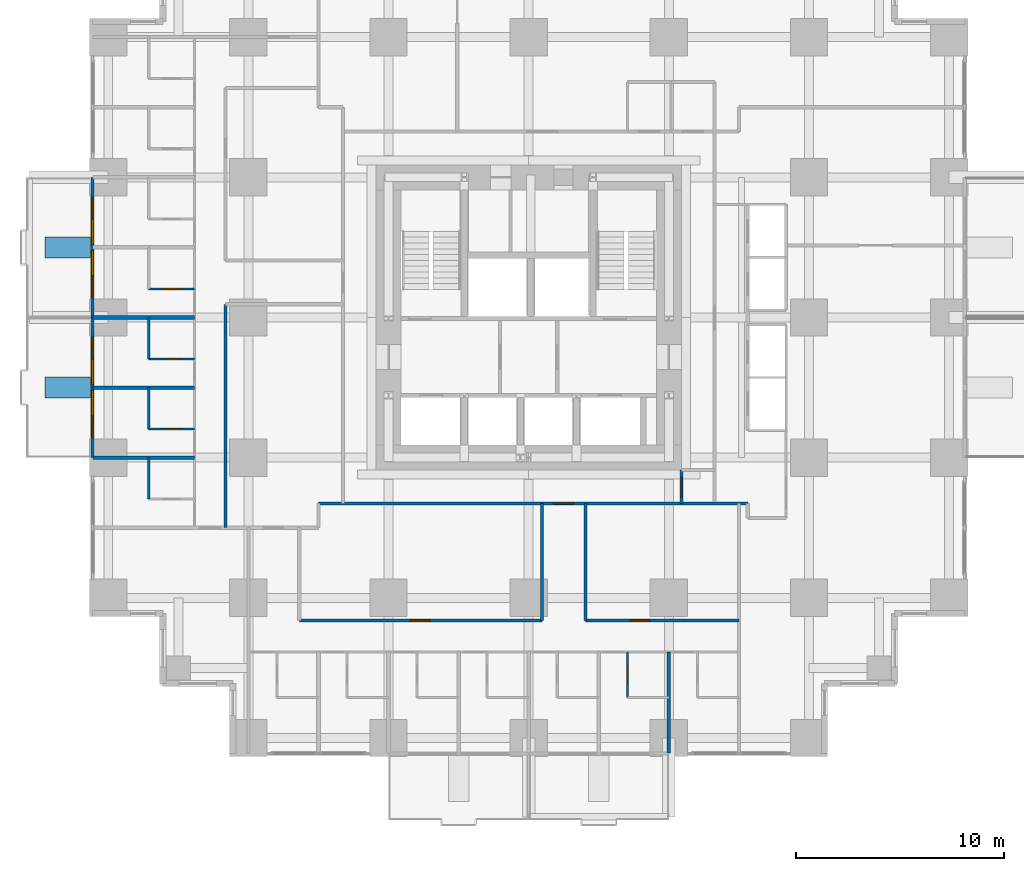
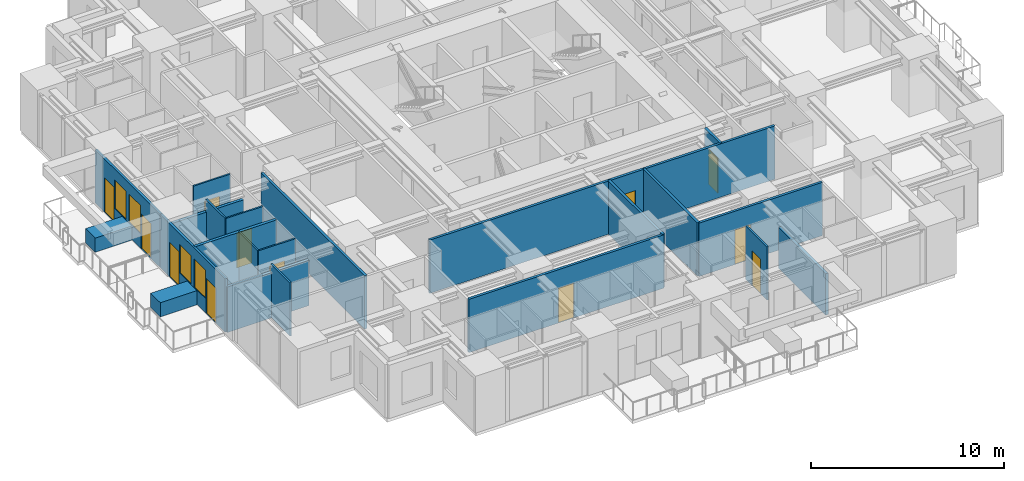
# One storey, part 7 of 13: 22 walls, 12 doors, 4 windows, 16 openings.
"""IFC4 building model written with IfcOpenShell, lengths in metres."""

from ifc_helpers import new_model, si_unit, direction, frame, frame_2d, origin, place, context, subcontext, project, spatial, rectangle, extrude, material, layer, layer_set, type_object, element, fill, save


model = new_model("IFC4")

# Units and contexts
model_context = context("Model", 3, precision=1e-05, world=origin(), true_north=direction((0.0, 1.0)))
body_context = subcontext(model_context, "Body", "Model", "MODEL_VIEW")
ifc_project = project(units=[si_unit("LENGTHUNIT", "METRE"), si_unit("AREAUNIT", "SQUARE_METRE"), si_unit("VOLUMEUNIT", "CUBIC_METRE"), si_unit("PLANEANGLEUNIT", "RADIAN"), si_unit("MASSUNIT", "GRAM", prefix="KILO")], contexts=[model_context])

# Site, building, storey
site_placement = place(None, origin())
site = spatial("IfcSite", under=ifc_project, at=site_placement, CompositionType="ELEMENT")
building_placement = place(site_placement, origin())
building = spatial("IfcBuilding", under=site, at=building_placement, Name="Nyansa Garden Tower", CompositionType="ELEMENT")
storey_placement = place(building_placement, frame((0.0, 0.0, 46.800048828125)))
storey = spatial("IfcBuildingStorey", under=building, at=storey_placement, Name="L12", CompositionType="ELEMENT", Elevation=46.800048828125)

# Walls
ifc_material_1 = material(Name="Dense blockwork, plastered both sides, 55 dB", Category="masonry")
ifc_layer_1 = layer(ifc_material_1, 0.175048828125)
ifc_layer_set_1 = layer_set([ifc_layer_1], Name="Acoustic party wall PW175")
wall_type_1 = type_object("IfcWallType", Name="Acoustic party wall PW175", PredefinedType="PARTITIONING", material=ifc_layer_set_1)
wall_1_placement = place(storey_placement, frame((-0.73388671875, 13.5, 0.0), z_axis=(0.0, 0.0, 1.0), x_axis=(1.0, 0.0, 0.0)))
element("IfcWall", 1, at=wall_1_placement, inside=storey, type_object=wall_type_1, Name="Party wall", PredefinedType="PARTITIONING", context=body_context, shape_type="SweptSolid", body=[
    extrude(rectangle(XDim=4.8837890625, YDim=0.175048828125, at=frame_2d((2.44189453125, 0.0))), origin(), (0.0, 0.0, 1.0), 2.876953125),
])
wall_2_placement = place(storey_placement, frame((-0.73388671875, 16.875, 0.0), z_axis=(0.0, 0.0, 1.0), x_axis=(1.0, 0.0, 0.0)))
element("IfcWall", 2, at=wall_2_placement, inside=storey, type_object=wall_type_1, Name="Party wall", PredefinedType="PARTITIONING", context=body_context, shape_type="SweptSolid", body=[
    extrude(rectangle(XDim=4.8837890625, YDim=0.175048828125, at=frame_2d((2.44189453125, 0.0))), origin(), (0.0, 0.0, 1.0), 3.375),
])
for number, where, z_axis, x_axis, name in (
    (3, (-0.73388671875, 20.25, 0.0), (0.0, 0.0, 1.0), (1.0, 0.0, 0.0), "Party wall"),
    (4, (27.0, -0.73388671875, 0.0), (0.0, 0.0, 1.0), (0.0, 1.0, 0.0), "Party wall"),
):
    element("IfcWall", number, at=place(storey_placement, frame(where, z_axis=z_axis, x_axis=x_axis)), inside=storey, type_object=wall_type_1, Name=name, PredefinedType="PARTITIONING", context=body_context, shape_type="SweptSolid", body=[
        extrude(rectangle(XDim=4.8837890625, YDim=0.175048828125, at=frame_2d((2.44189453125, 0.0))), origin(), (0.0, 0.0, 1.0), 2.60986328125),
    ])

# Wall, openings, doors, windows
ifc_material_2 = material(Name="Black aluminium framed glazed screen", Category="aluminium")
ifc_layer_2 = layer(ifc_material_2, 0.14990234375)
ifc_layer_set_2 = layer_set([ifc_layer_2], Name="Balcony screen wall BW150")
wall_type_2 = type_object("IfcWallType", Name="Balcony screen wall BW150", PredefinedType="SOLIDWALL", material=ifc_layer_set_2)
wall_3_placement = place(storey_placement, frame((-0.75, 13.5, 0.0), z_axis=(0.0, 0.0, 1.0), x_axis=(0.0, 1.0, 0.0)))
wall_3 = element("IfcWall", 5, at=wall_3_placement, inside=storey, type_object=wall_type_2, Name="Glazed screen wall L12 W", PredefinedType="SOLIDWALL", context=body_context, shape_type="SweptSolid", body=[
    extrude(rectangle(XDim=6.75, YDim=0.14990234375, at=frame_2d((3.375, 0.0))), origin(), (0.0, 0.0, 1.0), 3.375),
])
opening_1_placement = place(wall_3_placement, frame((0.96240234375, 0.0, 0.0)))
opening_1 = element("IfcOpeningElement", 6, at=opening_1_placement, cuts=wall_3, Name="Opening D20", PredefinedType="OPENING", context=body_context, shape_type="SweptSolid", body=[
    extrude(rectangle(XDim=1.0, YDim=2.199951171875, at=frame_2d((0.5, 1.10009765625))), frame((0.0, 0.0849609375, 0.0), z_axis=(0.0, -1.0, 0.0), x_axis=(1.0, 0.0, 0.0)), (0.0, 0.0, 1.0), 0.169921875),
])
opening_2_placement = place(wall_3_placement, frame((2.02490234375, 0.0, 0.89990234375)))
opening_2 = element("IfcOpeningElement", 7, at=opening_2_placement, cuts=wall_3, Name="Opening W6", PredefinedType="OPENING", context=body_context, shape_type="SweptSolid", body=[
    extrude(rectangle(XDim=1.199951171875, YDim=1.800048828125, at=frame_2d((0.60009765625, 0.89990234375))), frame((0.0, 0.0849609375, 0.0), z_axis=(0.0, -1.0, 0.0), x_axis=(1.0, 0.0, 0.0)), (0.0, 0.0, 1.0), 0.169921875),
])
opening_3_placement = place(wall_3_placement, frame((4.78759765625, 0.0, 0.0)))
opening_3 = element("IfcOpeningElement", 8, at=opening_3_placement, cuts=wall_3, Name="Opening D20", PredefinedType="OPENING", context=body_context, shape_type="SweptSolid", body=[
    extrude(rectangle(XDim=1.0, YDim=2.199951171875, at=frame_2d((0.5, 1.10009765625))), frame((0.0, 0.0849609375, 0.0), z_axis=(0.0, -1.0, 0.0), x_axis=(1.0, 0.0, 0.0)), (0.0, 0.0, 1.0), 0.169921875),
])
opening_4_placement = place(wall_3_placement, frame((3.52490234375, 0.0, 0.89990234375)))
opening_4 = element("IfcOpeningElement", 9, at=opening_4_placement, cuts=wall_3, Name="Opening W6", PredefinedType="OPENING", context=body_context, shape_type="SweptSolid", body=[
    extrude(rectangle(XDim=1.199951171875, YDim=1.800048828125, at=frame_2d((0.60009765625, 0.89990234375))), frame((0.0, 0.0849609375, 0.0), z_axis=(0.0, -1.0, 0.0), x_axis=(1.0, 0.0, 0.0)), (0.0, 0.0, 1.0), 0.169921875),
])
ifc_material_3 = material(Name="Black aluminium framed glazed door", Category="aluminium")
door_type_1 = type_object("IfcDoorType", Name="Balcony door D20 1000x2200", OperationType="NOTDEFINED", PredefinedType="DOOR", material=ifc_material_3)
door_1_placement = place(opening_1_placement, origin())
door_1 = element("IfcDoor", 10, at=door_1_placement, inside=storey, type_object=door_type_1, Name="Balcony door L12", OperationType="SINGLE_SWING_LEFT", OverallHeight=2.199951171875, OverallWidth=1.0, PredefinedType="DOOR", context=body_context, shape_type="SweptSolid", body=[
    extrude(rectangle(XDim=1.0, YDim=2.199951171875, at=frame_2d((0.5, 1.10009765625))), frame((0.0, 0.02490234375, 0.0), z_axis=(0.0, -1.0, 0.0), x_axis=(1.0, 0.0, 0.0)), (0.0, 0.0, 1.0), 0.050048828125),
])
fill(opening_1, door_1)
door_2_placement = place(opening_3_placement, origin())
door_2 = element("IfcDoor", 11, at=door_2_placement, inside=storey, type_object=door_type_1, Name="Balcony door L12", OperationType="SINGLE_SWING_RIGHT", OverallHeight=2.199951171875, OverallWidth=1.0, PredefinedType="DOOR", context=body_context, shape_type="SweptSolid", body=[
    extrude(rectangle(XDim=1.0, YDim=2.199951171875, at=frame_2d((0.5, 1.10009765625))), frame((0.0, 0.02490234375, 0.0), z_axis=(0.0, -1.0, 0.0), x_axis=(1.0, 0.0, 0.0)), (0.0, 0.0, 1.0), 0.050048828125),
])
fill(opening_3, door_2)
ifc_material_4 = material(Name="Black aluminium frame, dark tinted double glazing", Category="aluminium")
window_type = type_object("IfcWindowType", Name="Balcony window W6 1200x1800", PartitioningType="SINGLE_PANEL", PredefinedType="WINDOW", material=ifc_material_4)
window_1_placement = place(opening_2_placement, origin())
window_1 = element("IfcWindow", 12, at=window_1_placement, inside=storey, type_object=window_type, Name="Window L12", OverallHeight=1.800048828125, OverallWidth=1.199951171875, PartitioningType="SINGLE_PANEL", PredefinedType="WINDOW", context=body_context, shape_type="SweptSolid", body=[
    extrude(rectangle(XDim=1.199951171875, YDim=1.800048828125, at=frame_2d((0.60009765625, 0.89990234375))), frame((0.0, 0.030029296875, 0.0), z_axis=(0.0, -1.0, 0.0), x_axis=(1.0, 0.0, 0.0)), (0.0, 0.0, 1.0), 0.06005859375),
])
fill(opening_2, window_1)
window_2_placement = place(opening_4_placement, origin())
window_2 = element("IfcWindow", 13, at=window_2_placement, inside=storey, type_object=window_type, Name="Window L12", OverallHeight=1.800048828125, OverallWidth=1.199951171875, PartitioningType="SINGLE_PANEL", PredefinedType="WINDOW", context=body_context, shape_type="SweptSolid", body=[
    extrude(rectangle(XDim=1.199951171875, YDim=1.800048828125, at=frame_2d((0.60009765625, 0.89990234375))), frame((0.0, 0.030029296875, 0.0), z_axis=(0.0, -1.0, 0.0), x_axis=(1.0, 0.0, 0.0)), (0.0, 0.0, 1.0), 0.06005859375),
])
fill(opening_4, window_2)

wall_4_placement = place(storey_placement, frame((-0.75, 20.25, 0.0), z_axis=(0.0, 0.0, 1.0), x_axis=(0.0, 1.0, 0.0)))
wall_4 = element("IfcWall", 14, at=wall_4_placement, inside=storey, type_object=wall_type_2, Name="Glazed screen wall L12 W", PredefinedType="SOLIDWALL", context=body_context, shape_type="SweptSolid", body=[
    extrude(rectangle(XDim=6.75, YDim=0.14990234375, at=frame_2d((3.375, 0.0))), origin(), (0.0, 0.0, 1.0), 3.375),
])
opening_5_placement = place(wall_4_placement, frame((0.96240234375, 0.0, 0.0)))
opening_5 = element("IfcOpeningElement", 15, at=opening_5_placement, cuts=wall_4, Name="Opening D20", PredefinedType="OPENING", context=body_context, shape_type="SweptSolid", body=[
    extrude(rectangle(XDim=1.0, YDim=2.199951171875, at=frame_2d((0.5, 1.10009765625))), frame((0.0, 0.0849609375, 0.0), z_axis=(0.0, -1.0, 0.0), x_axis=(1.0, 0.0, 0.0)), (0.0, 0.0, 1.0), 0.169921875),
])
opening_6_placement = place(wall_4_placement, frame((2.02490234375, 0.0, 0.89990234375)))
opening_6 = element("IfcOpeningElement", 16, at=opening_6_placement, cuts=wall_4, Name="Opening W6", PredefinedType="OPENING", context=body_context, shape_type="SweptSolid", body=[
    extrude(rectangle(XDim=1.199951171875, YDim=1.800048828125, at=frame_2d((0.60009765625, 0.89990234375))), frame((0.0, 0.0849609375, 0.0), z_axis=(0.0, -1.0, 0.0), x_axis=(1.0, 0.0, 0.0)), (0.0, 0.0, 1.0), 0.169921875),
])
opening_7_placement = place(wall_4_placement, frame((4.78759765625, 0.0, 0.0)))
opening_7 = element("IfcOpeningElement", 17, at=opening_7_placement, cuts=wall_4, Name="Opening D20", PredefinedType="OPENING", context=body_context, shape_type="SweptSolid", body=[
    extrude(rectangle(XDim=1.0, YDim=2.199951171875, at=frame_2d((0.5, 1.10009765625))), frame((0.0, 0.0849609375, 0.0), z_axis=(0.0, -1.0, 0.0), x_axis=(1.0, 0.0, 0.0)), (0.0, 0.0, 1.0), 0.169921875),
])
opening_8_placement = place(wall_4_placement, frame((3.52490234375, 0.0, 0.89990234375)))
opening_8 = element("IfcOpeningElement", 18, at=opening_8_placement, cuts=wall_4, Name="Opening W6", PredefinedType="OPENING", context=body_context, shape_type="SweptSolid", body=[
    extrude(rectangle(XDim=1.199951171875, YDim=1.800048828125, at=frame_2d((0.60009765625, 0.89990234375))), frame((0.0, 0.0849609375, 0.0), z_axis=(0.0, -1.0, 0.0), x_axis=(1.0, 0.0, 0.0)), (0.0, 0.0, 1.0), 0.169921875),
])
door_3_placement = place(opening_5_placement, origin())
door_3 = element("IfcDoor", 19, at=door_3_placement, inside=storey, type_object=door_type_1, Name="Balcony door L12", OperationType="SINGLE_SWING_LEFT", OverallHeight=2.199951171875, OverallWidth=1.0, PredefinedType="DOOR", context=body_context, shape_type="SweptSolid", body=[
    extrude(rectangle(XDim=1.0, YDim=2.199951171875, at=frame_2d((0.5, 1.10009765625))), frame((0.0, 0.02490234375, 0.0), z_axis=(0.0, -1.0, 0.0), x_axis=(1.0, 0.0, 0.0)), (0.0, 0.0, 1.0), 0.050048828125),
])
fill(opening_5, door_3)
door_4_placement = place(opening_7_placement, origin())
door_4 = element("IfcDoor", 20, at=door_4_placement, inside=storey, type_object=door_type_1, Name="Balcony door L12", OperationType="SINGLE_SWING_RIGHT", OverallHeight=2.199951171875, OverallWidth=1.0, PredefinedType="DOOR", context=body_context, shape_type="SweptSolid", body=[
    extrude(rectangle(XDim=1.0, YDim=2.199951171875, at=frame_2d((0.5, 1.10009765625))), frame((0.0, 0.02490234375, 0.0), z_axis=(0.0, -1.0, 0.0), x_axis=(1.0, 0.0, 0.0)), (0.0, 0.0, 1.0), 0.050048828125),
])
fill(opening_7, door_4)
window_3_placement = place(opening_6_placement, origin())
window_3 = element("IfcWindow", 21, at=window_3_placement, inside=storey, type_object=window_type, Name="Window L12", OverallHeight=1.800048828125, OverallWidth=1.199951171875, PartitioningType="SINGLE_PANEL", PredefinedType="WINDOW", context=body_context, shape_type="SweptSolid", body=[
    extrude(rectangle(XDim=1.199951171875, YDim=1.800048828125, at=frame_2d((0.60009765625, 0.89990234375))), frame((0.0, 0.030029296875, 0.0), z_axis=(0.0, -1.0, 0.0), x_axis=(1.0, 0.0, 0.0)), (0.0, 0.0, 1.0), 0.06005859375),
])
fill(opening_6, window_3)
window_4_placement = place(opening_8_placement, origin())
window_4 = element("IfcWindow", 22, at=window_4_placement, inside=storey, type_object=window_type, Name="Window L12", OverallHeight=1.800048828125, OverallWidth=1.199951171875, PartitioningType="SINGLE_PANEL", PredefinedType="WINDOW", context=body_context, shape_type="SweptSolid", body=[
    extrude(rectangle(XDim=1.199951171875, YDim=1.800048828125, at=frame_2d((0.60009765625, 0.89990234375))), frame((0.0, 0.030029296875, 0.0), z_axis=(0.0, -1.0, 0.0), x_axis=(1.0, 0.0, 0.0)), (0.0, 0.0, 1.0), 0.06005859375),
])
fill(opening_8, window_4)

# Wall
ifc_material_5 = material(Name="Blockwork, plastered both sides", Category="masonry")
ifc_layer_3 = layer(ifc_material_5, 0.14990234375)
ifc_layer_set_3 = layer_set([ifc_layer_3], Name="Partition PW150")
wall_type_3 = type_object("IfcWallType", Name="Partition PW150", PredefinedType="PARTITIONING", material=ifc_layer_set_3)
wall_5_placement = place(storey_placement, frame((5.64990234375, 10.125, 0.0), z_axis=(0.0, 0.0, 1.0), x_axis=(0.0, 1.0, 0.0)))
element("IfcWall", 23, at=wall_5_placement, inside=storey, type_object=wall_type_3, Name="Partition", PredefinedType="PARTITIONING", context=body_context, shape_type="SweptSolid", body=[
    extrude(rectangle(XDim=10.762451171875, YDim=0.14990234375, at=frame_2d((5.38134765625, 0.0))), origin(), (0.0, 0.0, 1.0), 3.375),
])

# Wall, opening, door
wall_6_placement = place(storey_placement, frame((9.199951171875, 5.64990234375, 0.0), z_axis=(0.0, 0.0, 1.0), x_axis=(1.0, 0.0, 0.0)))
wall_6 = element("IfcWall", 24, at=wall_6_placement, inside=storey, type_object=wall_type_3, Name="Partition", PredefinedType="PARTITIONING", context=body_context, shape_type="SweptSolid", body=[
    extrude(rectangle(XDim=11.6875, YDim=0.14990234375, at=frame_2d((5.84375, 0.0))), origin(), (0.0, 0.0, 1.0), 3.375),
])
opening_9_placement = place(wall_6_placement, frame((5.35009765625, 0.0, 0.0)))
opening_9 = element("IfcOpeningElement", 25, at=opening_9_placement, cuts=wall_6, Name="Opening D01", PredefinedType="OPENING", context=body_context, shape_type="SweptSolid", body=[
    extrude(rectangle(XDim=0.949951171875, YDim=2.199951171875, at=frame_2d((0.47509765625, 1.10009765625))), frame((0.0, 0.0849609375, 0.0), z_axis=(0.0, -1.0, 0.0), x_axis=(1.0, 0.0, 0.0)), (0.0, 0.0, 1.0), 0.169921875),
])
ifc_material_6 = material(Name="Timber flush door, 30 minute fire resisting", Category="wood")
door_type_2 = type_object("IfcDoorType", Name="Bedroom door D01 950x2200", OperationType="SINGLE_SWING_LEFT", PredefinedType="DOOR", material=ifc_material_6)
door_5_placement = place(opening_9_placement, origin())
door_5 = element("IfcDoor", 26, at=door_5_placement, inside=storey, type_object=door_type_2, Name="Door L12-034", OperationType="SINGLE_SWING_LEFT", OverallHeight=2.199951171875, OverallWidth=0.949951171875, PredefinedType="DOOR", context=body_context, shape_type="SweptSolid", body=[
    extrude(rectangle(XDim=0.949951171875, YDim=2.199951171875, at=frame_2d((0.47509765625, 1.10009765625))), frame((0.0, 0.02490234375, 0.0), z_axis=(0.0, -1.0, 0.0), x_axis=(1.0, 0.0, 0.0)), (0.0, 0.0, 1.0), 0.050048828125),
])
fill(opening_9, door_5)

wall_7_placement = place(storey_placement, frame((10.125, 11.300048828125, 0.0), z_axis=(0.0, 0.0, 1.0), x_axis=(1.0, 0.0, 0.0)))
wall_7 = element("IfcWall", 27, at=wall_7_placement, inside=storey, type_object=wall_type_3, Name="Partition", PredefinedType="PARTITIONING", context=body_context, shape_type="SweptSolid", body=[
    extrude(rectangle(XDim=20.675048828125, YDim=0.14990234375, at=frame_2d((10.33740234375, 0.0))), origin(), (0.0, 0.0, 1.0), 3.375),
])
opening_10_placement = place(wall_7_placement, frame((11.3125, 0.0, 0.0)))
opening_10 = element("IfcOpeningElement", 28, at=opening_10_placement, cuts=wall_7, Name="Opening D03", PredefinedType="OPENING", context=body_context, shape_type="SweptSolid", body=[
    extrude(rectangle(XDim=1.0, YDim=2.199951171875, at=frame_2d((0.5, 1.10009765625))), frame((0.0, 0.0849609375, 0.0), z_axis=(0.0, -1.0, 0.0), x_axis=(1.0, 0.0, 0.0)), (0.0, 0.0, 1.0), 0.169921875),
])
ifc_material_7 = material(Name="Timber flush door, 60 minute fire resisting", Category="wood")
door_type_3 = type_object("IfcDoorType", Name="Cluster entrance door D03 1000x2200", OperationType="SINGLE_SWING_LEFT", PredefinedType="DOOR", material=ifc_material_7)
door_6_placement = place(opening_10_placement, origin())
door_6 = element("IfcDoor", 29, at=door_6_placement, inside=storey, type_object=door_type_3, Name="Door L12-032", OperationType="SINGLE_SWING_LEFT", OverallHeight=2.199951171875, OverallWidth=1.0, PredefinedType="DOOR", context=body_context, shape_type="SweptSolid", body=[
    extrude(rectangle(XDim=1.0, YDim=2.199951171875, at=frame_2d((0.5, 1.10009765625))), frame((0.0, 0.02490234375, 0.0), z_axis=(0.0, -1.0, 0.0), x_axis=(1.0, 0.0, 0.0)), (0.0, 0.0, 1.0), 0.050048828125),
])
fill(opening_10, door_6)

# Wall
wall_8_placement = place(storey_placement, frame((20.886962890625, 5.64990234375, 0.0), z_axis=(0.0, 0.0, 1.0), x_axis=(0.0, 1.0, 0.0)))
element("IfcWall", 30, at=wall_8_placement, inside=storey, type_object=wall_type_3, Name="Partition", PredefinedType="PARTITIONING", context=body_context, shape_type="SweptSolid", body=[
    extrude(rectangle(XDim=5.650146484375, YDim=0.14990234375, at=frame_2d((2.8251953125, 0.0))), origin(), (0.0, 0.0, 1.0), 3.375),
])

# Wall, opening, door
wall_9_placement = place(storey_placement, frame((22.987548828125, 5.64990234375, 0.0), z_axis=(0.0, 0.0, 1.0), x_axis=(1.0, 0.0, 0.0)))
wall_9 = element("IfcWall", 31, at=wall_9_placement, inside=storey, type_object=wall_type_3, Name="Partition", PredefinedType="PARTITIONING", context=body_context, shape_type="SweptSolid", body=[
    extrude(rectangle(XDim=7.387451171875, YDim=0.14990234375, at=frame_2d((3.69384765625, 0.0))), origin(), (0.0, 0.0, 1.0), 3.375),
])
opening_11_placement = place(wall_9_placement, frame((2.14990234375, 0.0, 0.0)))
opening_11 = element("IfcOpeningElement", 32, at=opening_11_placement, cuts=wall_9, Name="Opening D01", PredefinedType="OPENING", context=body_context, shape_type="SweptSolid", body=[
    extrude(rectangle(XDim=0.949951171875, YDim=2.199951171875, at=frame_2d((0.47509765625, 1.10009765625))), frame((0.0, 0.0849609375, 0.0), z_axis=(0.0, -1.0, 0.0), x_axis=(1.0, 0.0, 0.0)), (0.0, 0.0, 1.0), 0.169921875),
])
door_7_placement = place(opening_11_placement, origin())
door_7 = element("IfcDoor", 33, at=door_7_placement, inside=storey, type_object=door_type_2, Name="Door L12-033", OperationType="SINGLE_SWING_LEFT", OverallHeight=2.199951171875, OverallWidth=0.949951171875, PredefinedType="DOOR", context=body_context, shape_type="SweptSolid", body=[
    extrude(rectangle(XDim=0.949951171875, YDim=2.199951171875, at=frame_2d((0.47509765625, 1.10009765625))), frame((0.0, 0.02490234375, 0.0), z_axis=(0.0, -1.0, 0.0), x_axis=(1.0, 0.0, 0.0)), (0.0, 0.0, 1.0), 0.050048828125),
])
fill(opening_11, door_7)

# Wall
wall_10_placement = place(storey_placement, frame((22.988037109375, 5.64990234375, 0.0), z_axis=(0.0, 0.0, 1.0), x_axis=(0.0, 1.0, 0.0)))
element("IfcWall", 34, at=wall_10_placement, inside=storey, type_object=wall_type_3, Name="Partition", PredefinedType="PARTITIONING", context=body_context, shape_type="SweptSolid", body=[
    extrude(rectangle(XDim=5.650146484375, YDim=0.14990234375, at=frame_2d((2.8251953125, 0.0))), origin(), (0.0, 0.0, 1.0), 3.375),
])

# Wall, opening, door
wall_11_placement = place(storey_placement, frame((27.60009765625, 11.300048828125, 0.0), z_axis=(0.0, 0.0, 1.0), x_axis=(0.0, 1.0, 0.0)))
wall_11 = element("IfcWall", 35, at=wall_11_placement, inside=storey, type_object=wall_type_3, Name="Partition", PredefinedType="PARTITIONING", context=body_context, shape_type="SweptSolid", body=[
    extrude(rectangle(XDim=1.599853515625, YDim=0.14990234375, at=frame_2d((0.7998046875, 0.0))), origin(), (0.0, 0.0, 1.0), 3.375),
])
opening_12_placement = place(wall_11_placement, frame((0.300048828125, 0.0, 0.0)))
opening_12 = element("IfcOpeningElement", 36, at=opening_12_placement, cuts=wall_11, Name="Opening D01", PredefinedType="OPENING", context=body_context, shape_type="SweptSolid", body=[
    extrude(rectangle(XDim=0.949951171875, YDim=2.199951171875, at=frame_2d((0.47509765625, 1.10009765625))), frame((0.0, 0.0849609375, 0.0), z_axis=(0.0, -1.0, 0.0), x_axis=(1.0, 0.0, 0.0)), (0.0, 0.0, 1.0), 0.169921875),
])
door_8_placement = place(opening_12_placement, origin())
door_8 = element("IfcDoor", 37, at=door_8_placement, inside=storey, type_object=door_type_2, Name="Door L12-016", OperationType="SINGLE_SWING_LEFT", OverallHeight=2.199951171875, OverallWidth=0.949951171875, PredefinedType="DOOR", context=body_context, shape_type="SweptSolid", body=[
    extrude(rectangle(XDim=0.949951171875, YDim=2.199951171875, at=frame_2d((0.47509765625, 1.10009765625))), frame((0.0, 0.02490234375, 0.0), z_axis=(0.0, -1.0, 0.0), x_axis=(1.0, 0.0, 0.0)), (0.0, 0.0, 1.0), 0.050048828125),
])
fill(opening_12, door_8)

# Walls
ifc_material_8 = material(Name="Concrete C40/50 planter, waterproofed", Category="concrete")
ifc_layer_4 = layer(ifc_material_8, 1.0)
ifc_layer_set_4 = layer_set([ifc_layer_4], Name="Tree planter TP1")
wall_type_4 = type_object("IfcWallType", Name="Tree planter TP1", PredefinedType="USERDEFINED", material=ifc_layer_set_4)
for number, where, z_axis, x_axis, name in (
    (38, (-0.85009765625, 16.875, 0.0), (0.0, 0.0, 1.0), (-1.0, 0.0, 0.0), "Tree planter L12"),
    (39, (-0.85009765625, 23.625, 0.0), (0.0, 0.0, 1.0), (-1.0, 0.0, 0.0), "Tree planter L12"),
):
    element("IfcWall", number, at=place(storey_placement, frame(where, z_axis=z_axis, x_axis=x_axis)), inside=storey, type_object=wall_type_4, Name=name, ObjectType="TREE PLANTER", PredefinedType="USERDEFINED", context=body_context, shape_type="SweptSolid", body=[
        extrude(rectangle(XDim=2.199951171875, YDim=1.0, at=frame_2d((1.10009765625, 0.0))), origin(), (0.0, 0.0, 1.0), 0.89990234375),
    ])
ifc_material_9 = material(Name="Moisture resistant board on steel studs, tiled", Category="steel")
ifc_layer_5 = layer(ifc_material_9, 0.10009765625)
ifc_layer_set_5 = layer_set([ifc_layer_5], Name="Wet wall PW100")
wall_type_5 = type_object("IfcWallType", Name="Wet wall PW100", PredefinedType="PARTITIONING", material=ifc_layer_set_5)
for number, where, z_axis, x_axis, name in (
    (40, (1.949951171875, 11.5, 0.0), (0.0, 0.0, 1.0), (0.0, 1.0, 0.0), "Wet wall"),
    (41, (1.949951171875, 14.875, 0.0), (0.0, 0.0, 1.0), (0.0, 1.0, 0.0), "Wet wall"),
):
    element("IfcWall", number, at=place(storey_placement, frame(where, z_axis=z_axis, x_axis=x_axis)), inside=storey, type_object=wall_type_5, Name=name, PredefinedType="PARTITIONING", context=body_context, shape_type="SweptSolid", body=[
        extrude(rectangle(XDim=2.0, YDim=0.10009765625, at=frame_2d((1.0, 0.0))), origin(), (0.0, 0.0, 1.0), 3.375),
    ])

# Wall, opening, door
wall_12_placement = place(storey_placement, frame((1.949951171875, 14.875, 0.0), z_axis=(0.0, 0.0, 1.0), x_axis=(1.0, 0.0, 0.0)))
wall_12 = element("IfcWall", 42, at=wall_12_placement, inside=storey, type_object=wall_type_5, Name="Wet wall", PredefinedType="PARTITIONING", context=body_context, shape_type="SweptSolid", body=[
    extrude(rectangle(XDim=2.199951171875, YDim=0.10009765625, at=frame_2d((1.10009765625, 0.0))), origin(), (0.0, 0.0, 1.0), 3.375),
])
opening_13_placement = place(wall_12_placement, frame((0.64990234375, 0.0, 0.0)))
opening_13 = element("IfcOpeningElement", 43, at=opening_13_placement, cuts=wall_12, Name="Opening D02", PredefinedType="OPENING", context=body_context, shape_type="SweptSolid", body=[
    extrude(rectangle(XDim=0.89990234375, YDim=2.199951171875, at=frame_2d((0.449951171875, 1.10009765625))), frame((0.0, 0.06005859375, 0.0), z_axis=(0.0, -1.0, 0.0), x_axis=(1.0, 0.0, 0.0)), (0.0, 0.0, 1.0), 0.1201171875),
])
ifc_material_10 = material(Name="Timber flush door", Category="wood")
door_type_4 = type_object("IfcDoorType", Name="En-suite door D02 900x2200", OperationType="SINGLE_SWING_RIGHT", PredefinedType="DOOR", material=ifc_material_10)
door_9_placement = place(opening_13_placement, origin())
door_9 = element("IfcDoor", 44, at=door_9_placement, inside=storey, type_object=door_type_4, Name="Door L12-046", OperationType="SINGLE_SWING_RIGHT", OverallHeight=2.199951171875, OverallWidth=0.89990234375, PredefinedType="DOOR", context=body_context, shape_type="SweptSolid", body=[
    extrude(rectangle(XDim=0.89990234375, YDim=2.199951171875, at=frame_2d((0.449951171875, 1.10009765625))), frame((0.0, 0.02490234375, 0.0), z_axis=(0.0, -1.0, 0.0), x_axis=(1.0, 0.0, 0.0)), (0.0, 0.0, 1.0), 0.050048828125),
])
fill(opening_13, door_9)

# Wall
wall_13_placement = place(storey_placement, frame((1.949951171875, 18.25, 0.0), z_axis=(0.0, 0.0, 1.0), x_axis=(0.0, 1.0, 0.0)))
element("IfcWall", 45, at=wall_13_placement, inside=storey, type_object=wall_type_5, Name="Wet wall", PredefinedType="PARTITIONING", context=body_context, shape_type="SweptSolid", body=[
    extrude(rectangle(XDim=2.0, YDim=0.10009765625, at=frame_2d((1.0, 0.0))), origin(), (0.0, 0.0, 1.0), 3.375),
])

# Wall, opening, door
wall_14_placement = place(storey_placement, frame((1.949951171875, 18.25, 0.0), z_axis=(0.0, 0.0, 1.0), x_axis=(1.0, 0.0, 0.0)))
wall_14 = element("IfcWall", 46, at=wall_14_placement, inside=storey, type_object=wall_type_5, Name="Wet wall", PredefinedType="PARTITIONING", context=body_context, shape_type="SweptSolid", body=[
    extrude(rectangle(XDim=2.199951171875, YDim=0.10009765625, at=frame_2d((1.10009765625, 0.0))), origin(), (0.0, 0.0, 1.0), 3.375),
])
opening_14_placement = place(wall_14_placement, frame((0.64990234375, 0.0, 0.0)))
opening_14 = element("IfcOpeningElement", 47, at=opening_14_placement, cuts=wall_14, Name="Opening D02", PredefinedType="OPENING", context=body_context, shape_type="SweptSolid", body=[
    extrude(rectangle(XDim=0.89990234375, YDim=2.199951171875, at=frame_2d((0.449951171875, 1.10009765625))), frame((0.0, 0.06005859375, 0.0), z_axis=(0.0, -1.0, 0.0), x_axis=(1.0, 0.0, 0.0)), (0.0, 0.0, 1.0), 0.1201171875),
])
door_10_placement = place(opening_14_placement, origin())
door_10 = element("IfcDoor", 48, at=door_10_placement, inside=storey, type_object=door_type_4, Name="Door L12-048", OperationType="SINGLE_SWING_RIGHT", OverallHeight=2.199951171875, OverallWidth=0.89990234375, PredefinedType="DOOR", context=body_context, shape_type="SweptSolid", body=[
    extrude(rectangle(XDim=0.89990234375, YDim=2.199951171875, at=frame_2d((0.449951171875, 1.10009765625))), frame((0.0, 0.02490234375, 0.0), z_axis=(0.0, -1.0, 0.0), x_axis=(1.0, 0.0, 0.0)), (0.0, 0.0, 1.0), 0.050048828125),
])
fill(opening_14, door_10)

wall_15_placement = place(storey_placement, frame((1.949951171875, 21.625, 0.0), z_axis=(0.0, 0.0, 1.0), x_axis=(1.0, 0.0, 0.0)))
wall_15 = element("IfcWall", 49, at=wall_15_placement, inside=storey, type_object=wall_type_5, Name="Wet wall", PredefinedType="PARTITIONING", context=body_context, shape_type="SweptSolid", body=[
    extrude(rectangle(XDim=2.199951171875, YDim=0.10009765625, at=frame_2d((1.10009765625, 0.0))), origin(), (0.0, 0.0, 1.0), 3.375),
])
opening_15_placement = place(wall_15_placement, frame((0.64990234375, 0.0, 0.0)))
opening_15 = element("IfcOpeningElement", 50, at=opening_15_placement, cuts=wall_15, Name="Opening D02", PredefinedType="OPENING", context=body_context, shape_type="SweptSolid", body=[
    extrude(rectangle(XDim=0.89990234375, YDim=2.199951171875, at=frame_2d((0.449951171875, 1.10009765625))), frame((0.0, 0.06005859375, 0.0), z_axis=(0.0, -1.0, 0.0), x_axis=(1.0, 0.0, 0.0)), (0.0, 0.0, 1.0), 0.1201171875),
])
door_11_placement = place(opening_15_placement, origin())
door_11 = element("IfcDoor", 51, at=door_11_placement, inside=storey, type_object=door_type_4, Name="Door L12-050", OperationType="SINGLE_SWING_RIGHT", OverallHeight=2.199951171875, OverallWidth=0.89990234375, PredefinedType="DOOR", context=body_context, shape_type="SweptSolid", body=[
    extrude(rectangle(XDim=0.89990234375, YDim=2.199951171875, at=frame_2d((0.449951171875, 1.10009765625))), frame((0.0, 0.02490234375, 0.0), z_axis=(0.0, -1.0, 0.0), x_axis=(1.0, 0.0, 0.0)), (0.0, 0.0, 1.0), 0.050048828125),
])
fill(opening_15, door_11)

wall_16_placement = place(storey_placement, frame((25.0, 1.949951171875, 0.0), z_axis=(0.0, 0.0, 1.0), x_axis=(0.0, 1.0, 0.0)))
wall_16 = element("IfcWall", 52, at=wall_16_placement, inside=storey, type_object=wall_type_5, Name="Wet wall", PredefinedType="PARTITIONING", context=body_context, shape_type="SweptSolid", body=[
    extrude(rectangle(XDim=2.199951171875, YDim=0.10009765625, at=frame_2d((1.10009765625, 0.0))), origin(), (0.0, 0.0, 1.0), 3.375),
])
opening_16_placement = place(wall_16_placement, frame((0.64990234375, 0.0, 0.0)))
opening_16 = element("IfcOpeningElement", 53, at=opening_16_placement, cuts=wall_16, Name="Opening D02", PredefinedType="OPENING", context=body_context, shape_type="SweptSolid", body=[
    extrude(rectangle(XDim=0.89990234375, YDim=2.199951171875, at=frame_2d((0.449951171875, 1.10009765625))), frame((0.0, 0.06005859375, 0.0), z_axis=(0.0, -1.0, 0.0), x_axis=(1.0, 0.0, 0.0)), (0.0, 0.0, 1.0), 0.1201171875),
])
door_12_placement = place(opening_16_placement, origin())
door_12 = element("IfcDoor", 54, at=door_12_placement, inside=storey, type_object=door_type_4, Name="Door L12-028", OperationType="SINGLE_SWING_RIGHT", OverallHeight=2.199951171875, OverallWidth=0.89990234375, PredefinedType="DOOR", context=body_context, shape_type="SweptSolid", body=[
    extrude(rectangle(XDim=0.89990234375, YDim=2.199951171875, at=frame_2d((0.449951171875, 1.10009765625))), frame((0.0, 0.02490234375, 0.0), z_axis=(0.0, -1.0, 0.0), x_axis=(1.0, 0.0, 0.0)), (0.0, 0.0, 1.0), 0.050048828125),
])
fill(opening_16, door_12)

save(model, "model.ifc")
